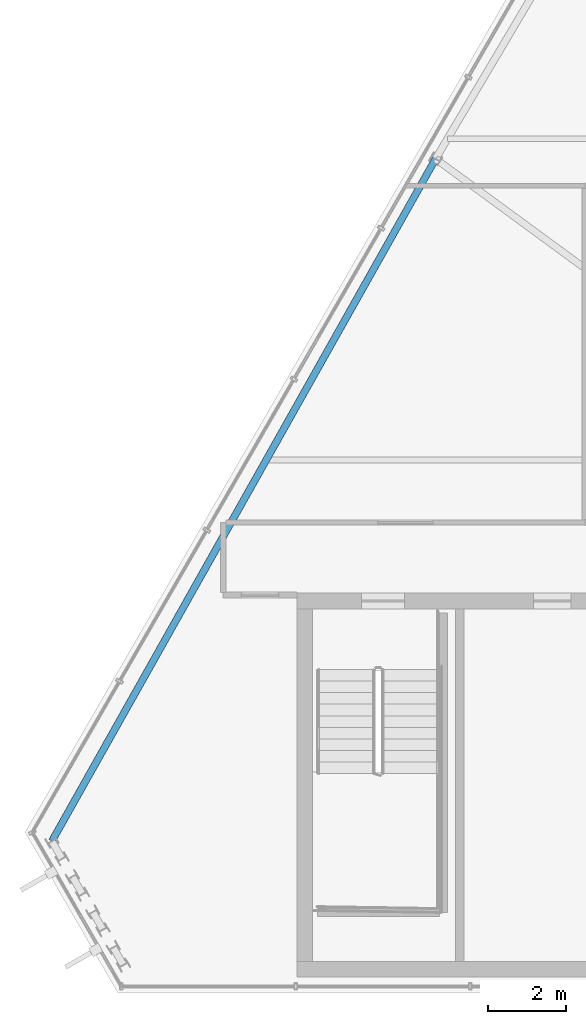
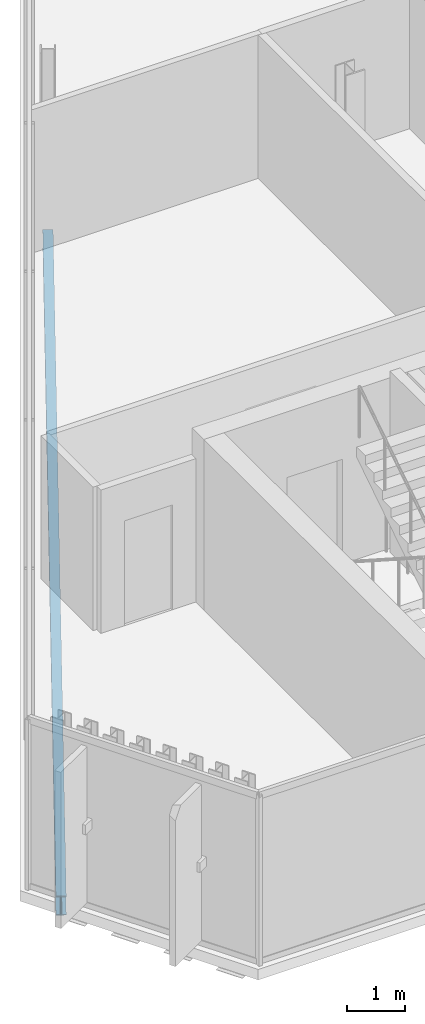
# One storey, part 5 of 32: 1 beam.
"""IFC4 building model written with IfcOpenShell, lengths in metres."""

from ifc_helpers import new_model, si_unit, direction, frame, origin, origin_2d, place, context, subcontext, project, spatial, i_section, extrude, material, material_profile, profile_set, type_object, element, save


model = new_model("IFC4")

# Units and contexts
model_context = context("Model", 3, precision=1e-05, world=origin(), true_north=direction((0.0, 1.0)))
body_context = subcontext(model_context, "Body", "Model", "MODEL_VIEW")
ifc_project = project(units=[si_unit("LENGTHUNIT", "METRE"), si_unit("AREAUNIT", "SQUARE_METRE"), si_unit("VOLUMEUNIT", "CUBIC_METRE"), si_unit("PLANEANGLEUNIT", "RADIAN"), si_unit("MASSUNIT", "GRAM", prefix="KILO")], contexts=[model_context])

# Site, building, storey
site_placement = place(None, origin())
site = spatial("IfcSite", under=ifc_project, at=site_placement, CompositionType="ELEMENT")
building_placement = place(site_placement, origin())
building = spatial("IfcBuilding", under=site, at=building_placement, Name="Ndaravel Arena Tower", CompositionType="ELEMENT")
storey_placement = place(building_placement, frame((0.0, 0.0, 287.10009765625)))
storey = spatial("IfcBuildingStorey", under=building, at=storey_placement, Name="L70", CompositionType="ELEMENT", Elevation=287.10009765625)

# Beam
ifc_material = material(Name="Steel S355", Category="steel")
ifc_material_profile = material_profile(ifc_material, i_section(OverallWidth=0.179931640625, OverallDepth=0.39990234375, WebThickness=0.008544921875, FlangeThickness=0.013427734375, FilletRadius=0.02099609375, at=origin_2d()), Name="IPE 400")
ifc_profile_set = profile_set([ifc_material_profile], Name="Steel S355")
beam_type = type_object("IfcBeamType", Name="BM-SPAN-IPE400", PredefinedType="SPANDREL", material=ifc_profile_set)
beam_placement = place(storey_placement, frame((29.9873046875, 26.286865234375, -0.420166015625), z_axis=(-0.490170744619, -0.871626434386, 0.0), x_axis=(0.871626434386, -0.490170744619, 0.0)))
element("IfcBeam", 1, at=beam_placement, inside=storey, type_object=beam_type, Name="L70 Perimeter Spandrel Beam SP-19", PredefinedType="SPANDREL", context=body_context, shape_type="SweptSolid", body=[
    extrude(i_section(OverallWidth=0.179931640625, OverallDepth=0.39990234375, WebThickness=0.008544921875, FlangeThickness=0.013427734375, FilletRadius=0.02099609375, at=origin_2d()), origin(), (0.0, 0.0, 1.0), 19.982177734375),
])

save(model, "model.ifc")
